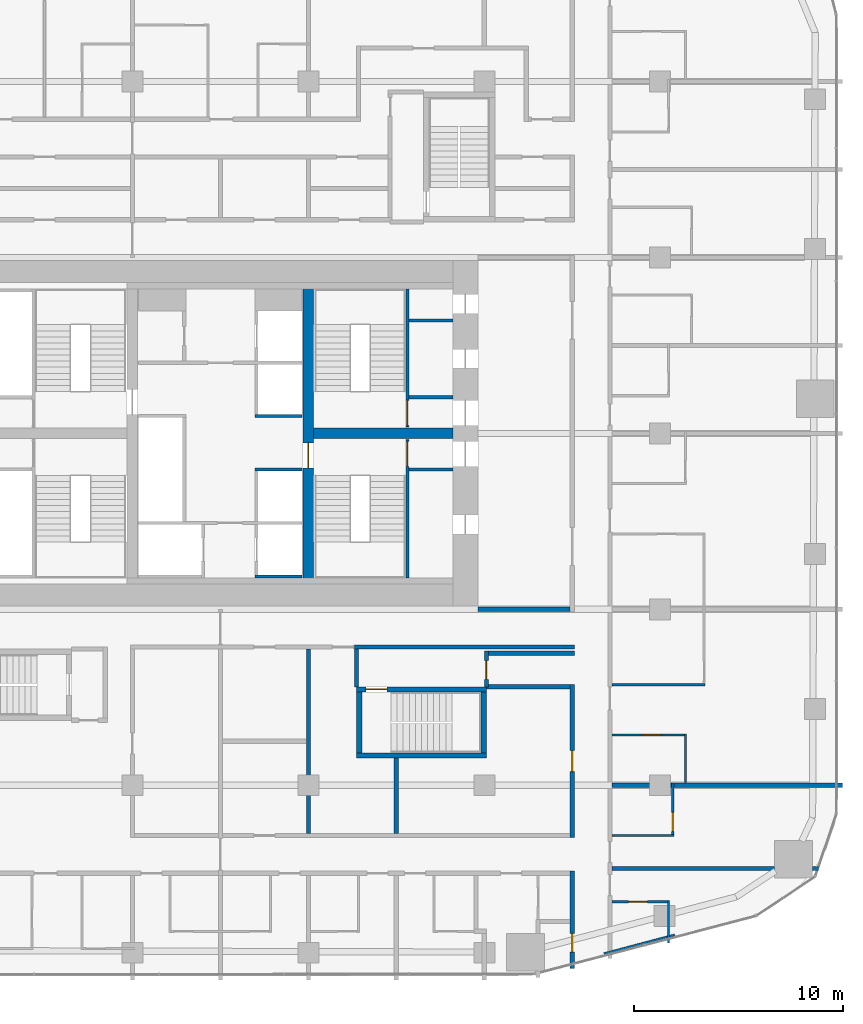
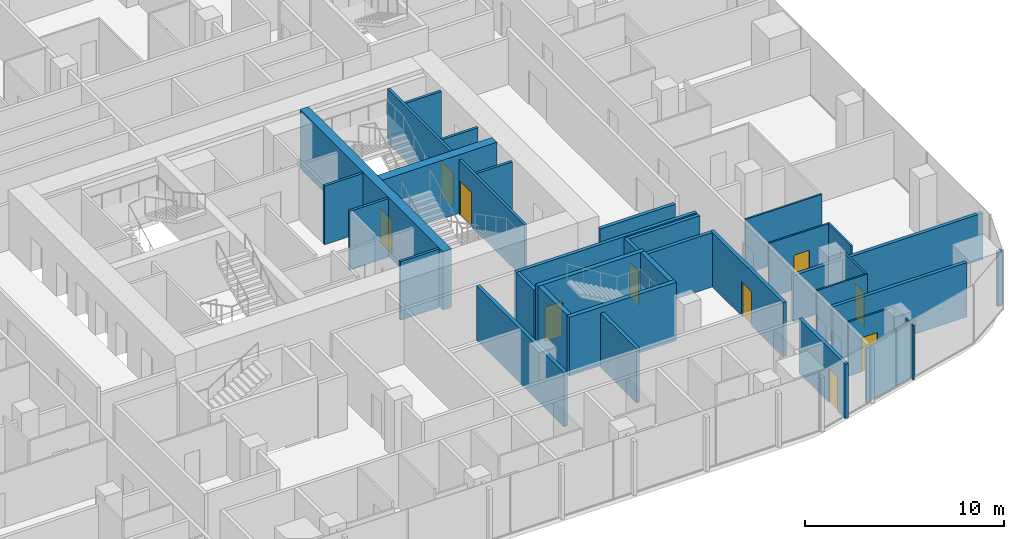
# One storey, part 19 of 26: 35 walls, 10 doors, 10 openings.
"""IFC4 building model written with IfcOpenShell, lengths in metres."""

from ifc_helpers import new_model, si_unit, direction, frame, frame_2d, origin, place, context, subcontext, project, spatial, rectangle, extrude, material, layer, layer_set, type_object, element, fill, save


model = new_model("IFC4")

# Units and contexts
model_context = context("Model", 3, precision=1e-05, world=origin(), true_north=direction((0.0, 1.0)))
body_context = subcontext(model_context, "Body", "Model", "MODEL_VIEW")
ifc_project = project(units=[si_unit("LENGTHUNIT", "METRE"), si_unit("AREAUNIT", "SQUARE_METRE"), si_unit("VOLUMEUNIT", "CUBIC_METRE"), si_unit("PLANEANGLEUNIT", "RADIAN"), si_unit("MASSUNIT", "GRAM", prefix="KILO")], contexts=[model_context])

# Site, building, storey
site_placement = place(None, origin())
site = spatial("IfcSite", under=ifc_project, at=site_placement, CompositionType="ELEMENT")
building_placement = place(site_placement, origin())
building = spatial("IfcBuilding", under=site, at=building_placement, Name="Marenta Gate Hotel Tower", CompositionType="ELEMENT")
storey_placement = place(building_placement, frame((0.0, 0.0, 65.300048828125)))
storey = spatial("IfcBuildingStorey", under=building, at=storey_placement, Name="L14", CompositionType="ELEMENT", Elevation=65.300048828125)

# Walls
ifc_material_1 = material(Name="Concrete blockwork", Category="masonry")
ifc_layer_1 = layer(ifc_material_1, 0.199951171875)
ifc_layer_set_1 = layer_set([ifc_layer_1], Name="Concrete blockwork")
wall_type_1 = type_object("IfcWallType", Name="Core boundary wall 200 REI 180", PredefinedType="PARTITIONING", material=ifc_layer_set_1)
wall_1_placement = place(storey_placement, frame((12.300048828125, 0.0, 0.0), z_axis=(0.0, 0.0, 1.0), x_axis=(1.0, 0.0, 0.0)))
element("IfcWall", 1, at=wall_1_placement, inside=storey, type_object=wall_type_1, Name="L14-CP-EW-ES", PredefinedType="PARTITIONING", context=body_context, shape_type="SweptSolid", body=[
    extrude(rectangle(XDim=4.39990234375, YDim=0.199951171875, at=frame_2d((2.199951171875, 0.0))), origin(), (0.0, 0.0, 1.0), 2.83984375),
])
ifc_material_2 = material(Name="Concrete blockwork", Category="masonry")
ifc_layer_2 = layer(ifc_material_2, 0.14990234375)
ifc_layer_set_2 = layer_set([ifc_layer_2], Name="Concrete blockwork")
wall_type_2 = type_object("IfcWallType", Name="Core room partition 150 REI 180", PredefinedType="PARTITIONING", material=ifc_layer_set_2)
for number, where, z_axis, x_axis, name in (
    (2, (9.0, 6.675048828125, 0.0), (0.0, 0.0, 1.0), (1.0, 0.0, 0.0), "L14-CP-SW-ES-2"),
    (3, (9.0, 10.125, 0.0), (0.0, 0.0, 1.0), (1.0, 0.0, 0.0), "L14-CP-SW-EN-2"),
    (4, (9.0, 13.800048828125, 0.0), (0.0, 0.0, 1.0), (1.0, 0.0, 0.0), "L14-CP-RW-EN-1"),
):
    element("IfcWall", number, at=place(storey_placement, frame(where, z_axis=z_axis, x_axis=x_axis)), inside=storey, type_object=wall_type_2, Name=name, PredefinedType="PARTITIONING", context=body_context, shape_type="SweptSolid", body=[
        extrude(rectangle(XDim=2.10009765625, YDim=0.14990234375, at=frame_2d((1.050048828125, 0.0))), origin(), (0.0, 0.0, 1.0), 3.33984375),
    ])
ifc_material_3 = material(Name="Concrete C40", Category="concrete")
ifc_layer_3 = layer(ifc_material_3, 0.14990234375)
ifc_layer_set_3 = layer_set([ifc_layer_3], Name="Concrete C40")
wall_type_3 = type_object("IfcWallType", Name="Core shaft wall 150 REI 180", PredefinedType="SHEAR", material=ifc_layer_set_3)
for number, where, z_axis, x_axis, name in (
    (5, (1.64990234375, 1.574951171875, 0.0), (0.0, 0.0, 1.0), (1.0, 0.0, 0.0), "L14-SHF-CE-S-bot"),
    (6, (1.64990234375, 6.675048828125, 0.0), (0.0, 0.0, 1.0), (1.0, 0.0, 0.0), "L14-SHF-CE-sep1"),
    (7, (1.64990234375, 9.22509765625, 0.0), (0.0, 0.0, 1.0), (1.0, 0.0, 0.0), "L14-SHF-CE-sep2"),
):
    element("IfcWall", number, at=place(storey_placement, frame(where, z_axis=z_axis, x_axis=x_axis)), inside=storey, type_object=wall_type_3, Name=name, PredefinedType="SHEAR", context=body_context, shape_type="SweptSolid", body=[
        extrude(rectangle(XDim=2.25, YDim=0.14990234375, at=frame_2d((1.125, 0.0))), origin(), (0.0, 0.0, 1.0), 3.599853515625),
    ])

# Wall, opening, door
ifc_material_4 = material(Name="Concrete C40", Category="concrete")
ifc_layer_4 = layer(ifc_material_4, 0.14990234375)
ifc_layer_set_4 = layer_set([ifc_layer_4], Name="Concrete C40")
wall_type_4 = type_object("IfcWallType", Name="Core stair enclosure wall 150 REI 180", PredefinedType="SHEAR", material=ifc_layer_set_4)
wall_2_placement = place(storey_placement, frame((8.925048828125, 1.5, 0.0), z_axis=(0.0, 0.0, 1.0), x_axis=(0.0, 1.0, 0.0)))
wall_2 = element("IfcWall", 8, at=wall_2_placement, inside=storey, type_object=wall_type_4, Name="L14-SHF-SW-ES-3", PredefinedType="SHEAR", context=body_context, shape_type="SweptSolid", body=[
    extrude(rectangle(XDim=6.60009765625, YDim=0.14990234375, at=frame_2d((3.300048828125, 0.0))), origin(), (0.0, 0.0, 1.0), 3.33984375),
])
opening_1_placement = place(wall_2_placement, frame((5.324951171875, 0.0, 0.0)))
opening_1 = element("IfcOpeningElement", 9, at=opening_1_placement, cuts=wall_2, Name="Opening SD-ES", PredefinedType="OPENING", context=body_context, shape_type="SweptSolid", body=[
    extrude(rectangle(XDim=1.199951171875, YDim=2.10009765625, at=frame_2d((0.60009765625, 1.050048828125))), frame((0.0, 0.074951171875, 0.0), z_axis=(0.0, -1.0, 0.0), x_axis=(1.0, 0.0, 0.0)), (0.0, 0.0, 1.0), 0.14990234375),
])
ifc_material_5 = material(Name="Steel", Category="steel")
door_type_1 = type_object("IfcDoorType", Name="Core stair door 1200x2100 FD60", OperationType="SINGLE_SWING_LEFT", PredefinedType="DOOR", material=ifc_material_5)
door_1_placement = place(opening_1_placement, origin())
door_1 = element("IfcDoor", 10, at=door_1_placement, inside=storey, type_object=door_type_1, Name="SD-ES", OperationType="SINGLE_SWING_LEFT", OverallHeight=2.10009765625, OverallWidth=1.199951171875, PredefinedType="DOOR", context=body_context, shape_type="SweptSolid", body=[
    extrude(rectangle(XDim=1.199951171875, YDim=2.10009765625, at=frame_2d((0.60009765625, 1.050048828125))), frame((0.0, 0.02490234375, 0.0), z_axis=(0.0, -1.0, 0.0), x_axis=(1.0, 0.0, 0.0)), (0.0, 0.0, 1.0), 0.050048828125),
])
fill(opening_1, door_1)

wall_3_placement = place(storey_placement, frame((8.925048828125, 8.699951171875, 0.0), z_axis=(0.0, 0.0, 1.0), x_axis=(0.0, 1.0, 0.0)))
wall_3 = element("IfcWall", 11, at=wall_3_placement, inside=storey, type_object=wall_type_4, Name="L14-SHF-SW-EN-3", PredefinedType="SHEAR", context=body_context, shape_type="SweptSolid", body=[
    extrude(rectangle(XDim=6.60009765625, YDim=0.14990234375, at=frame_2d((3.300048828125, 0.0))), origin(), (0.0, 0.0, 1.0), 3.33984375),
])
opening_2_placement = place(wall_3_placement, frame((0.074951171875, 0.0, 0.0)))
opening_2 = element("IfcOpeningElement", 12, at=opening_2_placement, cuts=wall_3, Name="Opening SD-EN", PredefinedType="OPENING", context=body_context, shape_type="SweptSolid", body=[
    extrude(rectangle(XDim=1.199951171875, YDim=2.10009765625, at=frame_2d((0.60009765625, 1.050048828125))), frame((0.0, 0.074951171875, 0.0), z_axis=(0.0, -1.0, 0.0), x_axis=(1.0, 0.0, 0.0)), (0.0, 0.0, 1.0), 0.14990234375),
])
door_2_placement = place(opening_2_placement, origin())
door_2 = element("IfcDoor", 13, at=door_2_placement, inside=storey, type_object=door_type_1, Name="SD-EN", OperationType="SINGLE_SWING_LEFT", OverallHeight=2.10009765625, OverallWidth=1.199951171875, PredefinedType="DOOR", context=body_context, shape_type="SweptSolid", body=[
    extrude(rectangle(XDim=1.199951171875, YDim=2.10009765625, at=frame_2d((0.60009765625, 1.050048828125))), frame((0.0, 0.02490234375, 0.0), z_axis=(0.0, -1.0, 0.0), x_axis=(1.0, 0.0, 0.0)), (0.0, 0.0, 1.0), 0.050048828125),
])
fill(opening_2, door_2)

ifc_material_6 = material(Name="Concrete C80", Category="concrete")
ifc_layer_5 = layer(ifc_material_6, 0.5)
ifc_layer_set_5 = layer_set([ifc_layer_5], Name="Concrete C80")
wall_type_5 = type_object("IfcWallType", Name="Core web 500 C80", PredefinedType="SHEAR", material=ifc_layer_set_5)
wall_4_placement = place(storey_placement, frame((4.199951171875, 1.199951171875, 0.0), z_axis=(0.0, 0.0, 1.0), x_axis=(0.0, 1.0, 0.0)))
wall_4 = element("IfcWall", 14, at=wall_4_placement, inside=storey, type_object=wall_type_5, Name="L14-CORE-W2", PredefinedType="SHEAR", context=body_context, shape_type="SweptSolid", body=[
    extrude(rectangle(XDim=14.400146484375, YDim=0.5, at=frame_2d((7.2001953125, 0.0))), origin(), (0.0, 0.0, 1.0), 3.599853515625),
])
opening_3_placement = place(wall_4_placement, frame((5.550048828125, 0.0, 0.0)))
opening_3 = element("IfcOpeningElement", 15, at=opening_3_placement, cuts=wall_4, Name="Opening WD-E", PredefinedType="OPENING", context=body_context, shape_type="SweptSolid", body=[
    extrude(rectangle(XDim=1.199951171875, YDim=2.10009765625, at=frame_2d((0.60009765625, 1.050048828125))), frame((0.0, 0.25, 0.0), z_axis=(0.0, -1.0, 0.0), x_axis=(1.0, 0.0, 0.0)), (0.0, 0.0, 1.0), 0.5),
])
door_3_placement = place(opening_3_placement, origin())
door_3 = element("IfcDoor", 16, at=door_3_placement, inside=storey, type_object=door_type_1, Name="WD-E", OperationType="SINGLE_SWING_LEFT", OverallHeight=2.10009765625, OverallWidth=1.199951171875, PredefinedType="DOOR", context=body_context, shape_type="SweptSolid", body=[
    extrude(rectangle(XDim=1.199951171875, YDim=2.10009765625, at=frame_2d((0.60009765625, 1.050048828125))), frame((0.0, 0.02490234375, 0.0), z_axis=(0.0, -1.0, 0.0), x_axis=(1.0, 0.0, 0.0)), (0.0, 0.0, 1.0), 0.050048828125),
])
fill(opening_3, door_3)

# Walls
wall_5_placement = place(storey_placement, frame((4.449951171875, 8.39990234375, 0.0), z_axis=(0.0, 0.0, 1.0), x_axis=(1.0, 0.0, 0.0)))
element("IfcWall", 17, at=wall_5_placement, inside=storey, type_object=wall_type_5, Name="L14-CORE-W4", PredefinedType="SHEAR", context=body_context, shape_type="SweptSolid", body=[
    extrude(rectangle(XDim=6.650146484375, YDim=0.5, at=frame_2d((3.3251953125, 0.0))), origin(), (0.0, 0.0, 1.0), 3.599853515625),
])
ifc_material_7 = material(Name="Concrete C40", Category="concrete")
ifc_layer_6 = layer(ifc_material_7, 0.25)
ifc_layer_set_6 = layer_set([ifc_layer_6], Name="Concrete C40")
wall_type_6 = type_object("IfcWallType", Name="Remote stair enclosure wall 250 REI 180", PredefinedType="SHEAR", material=ifc_layer_set_6)
wall_6_placement = place(storey_placement, frame((6.5, -6.97509765625, 0.099853515625), z_axis=(0.0, 0.0, 1.0), x_axis=(1.0, 0.0, 0.0)))
element("IfcWall", 18, at=wall_6_placement, inside=storey, type_object=wall_type_6, Name="L14-RS-Z1-1-W1", PredefinedType="SHEAR", context=body_context, shape_type="SweptSolid", body=[
    extrude(rectangle(XDim=6.199951171875, YDim=0.25, at=frame_2d((3.10009765625, 0.0))), origin(), (0.0, 0.0, 1.0), 3.60009765625),
])

# Wall, opening, door
wall_7_placement = place(storey_placement, frame((6.5, -3.824951171875, 0.099853515625), z_axis=(0.0, 0.0, 1.0), x_axis=(1.0, 0.0, 0.0)))
wall_7 = element("IfcWall", 19, at=wall_7_placement, inside=storey, type_object=wall_type_6, Name="L14-RS-Z1-1-W2", PredefinedType="SHEAR", context=body_context, shape_type="SweptSolid", body=[
    extrude(rectangle(XDim=6.199951171875, YDim=0.25, at=frame_2d((3.10009765625, 0.0))), origin(), (0.0, 0.0, 1.0), 3.60009765625),
])
opening_4_placement = place(wall_7_placement, frame((0.449951171875, 0.0, 0.0)))
opening_4 = element("IfcOpeningElement", 20, at=opening_4_placement, cuts=wall_7, Name="Opening VD", PredefinedType="OPENING", context=body_context, shape_type="SweptSolid", body=[
    extrude(rectangle(XDim=1.0, YDim=2.10009765625, at=frame_2d((0.5, 1.050048828125))), frame((0.0, 0.125, 0.0), z_axis=(0.0, -1.0, 0.0), x_axis=(1.0, 0.0, 0.0)), (0.0, 0.0, 1.0), 0.25),
])
ifc_material_8 = material(Name="Steel", Category="steel")
door_type_2 = type_object("IfcDoorType", Name="Stair vestibule door 1000x2100 FD60", OperationType="SINGLE_SWING_LEFT", PredefinedType="DOOR", material=ifc_material_8)
door_4_placement = place(opening_4_placement, origin())
door_4 = element("IfcDoor", 21, at=door_4_placement, inside=storey, type_object=door_type_2, Name="VD", OperationType="SINGLE_SWING_LEFT", OverallHeight=2.10009765625, OverallWidth=1.0, PredefinedType="DOOR", context=body_context, shape_type="SweptSolid", body=[
    extrude(rectangle(XDim=1.0, YDim=2.10009765625, at=frame_2d((0.5, 1.050048828125))), frame((0.0, 0.02490234375, 0.0), z_axis=(0.0, -1.0, 0.0), x_axis=(1.0, 0.0, 0.0)), (0.0, 0.0, 1.0), 0.050048828125),
])
fill(opening_4, door_4)

# Walls
for number, where, z_axis, x_axis, name in (
    (22, (6.625, -6.85009765625, 0.099853515625), (0.0, 0.0, 1.0), (0.0, 1.0, 0.0), "L14-RS-Z1-1-W3"),
    (23, (12.574951171875, -6.85009765625, 0.099853515625), (0.0, 0.0, 1.0), (0.0, 1.0, 0.0), "L14-RS-Z1-1-W4"),
):
    element("IfcWall", number, at=place(storey_placement, frame(where, z_axis=z_axis, x_axis=x_axis)), inside=storey, type_object=wall_type_6, Name=name, PredefinedType="SHEAR", context=body_context, shape_type="SweptSolid", body=[
        extrude(rectangle(XDim=2.900146484375, YDim=0.25, at=frame_2d((1.4501953125, 0.0))), origin(), (0.0, 0.0, 1.0), 3.60009765625),
    ])

# Wall, opening, door
ifc_material_9 = material(Name="Concrete blockwork", Category="masonry")
ifc_layer_7 = layer(ifc_material_9, 0.199951171875)
ifc_layer_set_7 = layer_set([ifc_layer_7], Name="Concrete blockwork")
wall_type_7 = type_object("IfcWallType", Name="Room corridor wall 200 EI 120", PredefinedType="PARTITIONING", material=ifc_layer_set_7)
wall_8_placement = place(storey_placement, frame((16.800048828125, -17.14306640625, 0.0), z_axis=(0.0, 0.0, 1.0), x_axis=(0.0, 1.0, 0.0)))
wall_8 = element("IfcWall", 24, at=wall_8_placement, inside=storey, type_object=wall_type_7, Name="L14-PTN-W015", PredefinedType="PARTITIONING", context=body_context, shape_type="SweptSolid", body=[
    extrude(rectangle(XDim=4.64306640625, YDim=0.199951171875, at=frame_2d((2.321533203125, 0.0))), origin(), (0.0, 0.0, 1.0), 3.33984375),
])
opening_5_placement = place(wall_8_placement, frame((0.77197265625, 0.0, 0.0)))
opening_5 = element("IfcOpeningElement", 25, at=opening_5_placement, cuts=wall_8, Name="Opening G05-85", PredefinedType="OPENING", context=body_context, shape_type="SweptSolid", body=[
    extrude(rectangle(XDim=0.89990234375, YDim=2.10009765625, at=frame_2d((0.449951171875, 1.050048828125))), frame((0.0, 0.10009765625, 0.0), z_axis=(0.0, -1.0, 0.0), x_axis=(1.0, 0.0, 0.0)), (0.0, 0.0, 1.0), 0.199951171875),
])
ifc_material_10 = material(Name="Hollow steel door set", Category="steel")
door_type_3 = type_object("IfcDoorType", Name="Room service door 900x2100 EI 60", OperationType="NOTDEFINED", PredefinedType="DOOR", material=ifc_material_10)
door_5_placement = place(opening_5_placement, origin())
door_5 = element("IfcDoor", 26, at=door_5_placement, inside=storey, type_object=door_type_3, Name="L14-PD-D085", OperationType="SINGLE_SWING_RIGHT", OverallHeight=2.10009765625, OverallWidth=0.89990234375, PredefinedType="DOOR", context=body_context, shape_type="SweptSolid", body=[
    extrude(rectangle(XDim=0.89990234375, YDim=2.10009765625, at=frame_2d((0.449951171875, 1.050048828125))), frame((0.0, 0.02490234375, 0.0), z_axis=(0.0, -1.0, 0.0), x_axis=(1.0, 0.0, 0.0)), (0.0, 0.0, 1.0), 0.050048828125),
])
fill(opening_5, door_5)

ifc_material_11 = material(Name="Gypsum board on steel stud", Category="steel")
ifc_layer_8 = layer(ifc_material_11, 0.199951171875)
ifc_layer_set_8 = layer_set([ifc_layer_8], Name="Gypsum board on steel stud")
wall_type_8 = type_object("IfcWallType", Name="Room corridor wall 200 EI 60", PredefinedType="PARTITIONING", material=ifc_layer_set_8)
wall_9_placement = place(storey_placement, frame((16.800048828125, -10.89990234375, 0.0), z_axis=(0.0, 0.0, 1.0), x_axis=(0.0, 1.0, 0.0)))
wall_9 = element("IfcWall", 27, at=wall_9_placement, inside=storey, type_object=wall_type_8, Name="L14-PTN-W016", PredefinedType="PARTITIONING", context=body_context, shape_type="SweptSolid", body=[
    extrude(rectangle(XDim=7.2998046875, YDim=0.199951171875, at=frame_2d((3.64990234375, 0.0))), origin(), (0.0, 0.0, 1.0), 3.33984375),
])
opening_6_placement = place(wall_9_placement, frame((3.14990234375, 0.0, 0.0)))
opening_6 = element("IfcOpeningElement", 28, at=opening_6_placement, cuts=wall_9, Name="Opening G05-71", PredefinedType="OPENING", context=body_context, shape_type="SweptSolid", body=[
    extrude(rectangle(XDim=1.0, YDim=2.10009765625, at=frame_2d((0.5, 1.050048828125))), frame((0.0, 0.10009765625, 0.0), z_axis=(0.0, -1.0, 0.0), x_axis=(1.0, 0.0, 0.0)), (0.0, 0.0, 1.0), 0.199951171875),
])
ifc_material_12 = material(Name="Timber door leaf", Category="wood")
door_type_4 = type_object("IfcDoorType", Name="Room amenity door 1000x2100 EI 30", OperationType="NOTDEFINED", PredefinedType="DOOR", material=ifc_material_12)
door_6_placement = place(opening_6_placement, origin())
door_6 = element("IfcDoor", 29, at=door_6_placement, inside=storey, type_object=door_type_4, Name="L14-PD-D071", OperationType="SINGLE_SWING_LEFT", OverallHeight=2.10009765625, OverallWidth=1.0, PredefinedType="DOOR", context=body_context, shape_type="SweptSolid", body=[
    extrude(rectangle(XDim=1.0, YDim=2.10009765625, at=frame_2d((0.5, 1.050048828125))), frame((0.0, 0.02490234375, 0.0), z_axis=(0.0, -1.0, 0.0), x_axis=(1.0, 0.0, 0.0)), (0.0, 0.0, 1.0), 0.050048828125),
])
fill(opening_6, door_6)

# Wall
wall_10_placement = place(storey_placement, frame((12.699951171875, -3.699951171875, 0.0), z_axis=(0.0, 0.0, 1.0), x_axis=(1.0, 0.0, 0.0)))
element("IfcWall", 30, at=wall_10_placement, inside=storey, type_object=wall_type_8, Name="L14-PTN-W061", PredefinedType="PARTITIONING", context=body_context, shape_type="SweptSolid", body=[
    extrude(rectangle(XDim=4.0, YDim=0.199951171875, at=frame_2d((2.0, 0.0))), origin(), (0.0, 0.0, 1.0), 3.33984375),
])

# Wall, opening, door
ifc_material_13 = material(Name="Concrete blockwork", Category="masonry")
ifc_layer_9 = layer(ifc_material_13, 0.199951171875)
ifc_layer_set_9 = layer_set([ifc_layer_9], Name="Concrete blockwork")
wall_type_9 = type_object("IfcWallType", Name="Room corridor wall 200 REI 180", PredefinedType="PARTITIONING", material=ifc_layer_set_9)
wall_11_placement = place(storey_placement, frame((12.699951171875, -3.699951171875, 0.0), z_axis=(0.0, 0.0, 1.0), x_axis=(0.0, 1.0, 0.0)))
wall_11 = element("IfcWall", 31, at=wall_11_placement, inside=storey, type_object=wall_type_9, Name="L14-PTN-W031", PredefinedType="PARTITIONING", context=body_context, shape_type="SweptSolid", body=[
    extrude(rectangle(XDim=1.699951171875, YDim=0.199951171875, at=frame_2d((0.85009765625, 0.0))), origin(), (0.0, 0.0, 1.0), 3.33984375),
])
opening_7_placement = place(wall_11_placement, frame((0.35009765625, 0.0, 0.0)))
opening_7 = element("IfcOpeningElement", 32, at=opening_7_placement, cuts=wall_11, Name="Opening G05-66", PredefinedType="OPENING", context=body_context, shape_type="SweptSolid", body=[
    extrude(rectangle(XDim=0.89990234375, YDim=2.10009765625, at=frame_2d((0.449951171875, 1.050048828125))), frame((0.0, 0.10009765625, 0.0), z_axis=(0.0, -1.0, 0.0), x_axis=(1.0, 0.0, 0.0)), (0.0, 0.0, 1.0), 0.199951171875),
])
ifc_material_14 = material(Name="Hollow steel door set", Category="steel")
door_type_5 = type_object("IfcDoorType", Name="Stair vestibule door 900x2100 EI 60", OperationType="NOTDEFINED", PredefinedType="DOOR", material=ifc_material_14)
door_7_placement = place(opening_7_placement, origin())
door_7 = element("IfcDoor", 33, at=door_7_placement, inside=storey, type_object=door_type_5, Name="L14-PD-D066", OperationType="SINGLE_SWING_LEFT", OverallHeight=2.10009765625, OverallWidth=0.89990234375, PredefinedType="DOOR", context=body_context, shape_type="SweptSolid", body=[
    extrude(rectangle(XDim=0.89990234375, YDim=2.10009765625, at=frame_2d((0.449951171875, 1.050048828125))), frame((0.0, 0.02490234375, 0.0), z_axis=(0.0, -1.0, 0.0), x_axis=(1.0, 0.0, 0.0)), (0.0, 0.0, 1.0), 0.050048828125),
])
fill(opening_7, door_7)

# Walls
wall_12_placement = place(storey_placement, frame((12.800048828125, -2.10009765625, 0.0), z_axis=(0.0, 0.0, 1.0), x_axis=(1.0, 0.0, 0.0)))
element("IfcWall", 34, at=wall_12_placement, inside=storey, type_object=wall_type_9, Name="L14-PTN-W065", PredefinedType="PARTITIONING", context=body_context, shape_type="SweptSolid", body=[
    extrude(rectangle(XDim=4.099853515625, YDim=0.199951171875, at=frame_2d((2.0498046875, 0.0))), origin(), (0.0, 0.0, 1.0), 3.33984375),
])
wall_13_placement = place(storey_placement, frame((6.39990234375, -1.800048828125, 0.0), z_axis=(0.0, 0.0, 1.0), x_axis=(1.0, 0.0, 0.0)))
element("IfcWall", 35, at=wall_13_placement, inside=storey, type_object=wall_type_9, Name="L14-PTN-W070", PredefinedType="PARTITIONING", context=body_context, shape_type="SweptSolid", body=[
    extrude(rectangle(XDim=10.5, YDim=0.199951171875, at=frame_2d((5.25, 0.0))), origin(), (0.0, 0.0, 1.0), 3.33984375),
])
ifc_material_15 = material(Name="Gypsum board on steel stud", Category="steel")
ifc_layer_10 = layer(ifc_material_15, 0.10009765625)
ifc_layer_set_10 = layer_set([ifc_layer_10], Name="Gypsum board on steel stud")
wall_type_10 = type_object("IfcWallType", Name="Room partition 100", PredefinedType="PARTITIONING", material=ifc_layer_set_10)
wall_14_placement = place(storey_placement, frame((22.199951171875, -8.300048828125, 0.0), z_axis=(0.0, 0.0, 1.0), x_axis=(0.0, 1.0, 0.0)))
element("IfcWall", 36, at=wall_14_placement, inside=storey, type_object=wall_type_10, Name="L14-PTN-W005", PredefinedType="PARTITIONING", context=body_context, shape_type="SweptSolid", body=[
    extrude(rectangle(XDim=2.35009765625, YDim=0.10009765625, at=frame_2d((1.175048828125, 0.0))), origin(), (0.0, 0.0, 1.0), 3.33984375),
])

# Wall, opening, door
wall_15_placement = place(storey_placement, frame((21.60009765625, -10.75, 0.0), z_axis=(0.0, 0.0, 1.0), x_axis=(0.0, 1.0, 0.0)))
wall_15 = element("IfcWall", 37, at=wall_15_placement, inside=storey, type_object=wall_type_10, Name="L14-PTN-W008", PredefinedType="PARTITIONING", context=body_context, shape_type="SweptSolid", body=[
    extrude(rectangle(XDim=2.449951171875, YDim=0.10009765625, at=frame_2d((1.22509765625, 0.0))), origin(), (0.0, 0.0, 1.0), 3.33984375),
])
opening_8_placement = place(wall_15_placement, frame((0.14990234375, 0.0, 0.0)))
opening_8 = element("IfcOpeningElement", 38, at=opening_8_placement, cuts=wall_15, Name="Opening G05-08", PredefinedType="OPENING", context=body_context, shape_type="SweptSolid", body=[
    extrude(rectangle(XDim=0.89990234375, YDim=2.10009765625, at=frame_2d((0.449951171875, 1.050048828125))), frame((0.0, 0.050048828125, 0.0), z_axis=(0.0, -1.0, 0.0), x_axis=(1.0, 0.0, 0.0)), (0.0, 0.0, 1.0), 0.10009765625),
])
ifc_material_16 = material(Name="Timber door leaf", Category="wood")
door_type_6 = type_object("IfcDoorType", Name="Guest bathroom door 900x2100", OperationType="NOTDEFINED", PredefinedType="DOOR", material=ifc_material_16)
door_8_placement = place(opening_8_placement, origin())
door_8 = element("IfcDoor", 39, at=door_8_placement, inside=storey, type_object=door_type_6, Name="L14-PD-D008", OperationType="SINGLE_SWING_LEFT", OverallHeight=2.10009765625, OverallWidth=0.89990234375, PredefinedType="DOOR", context=body_context, shape_type="SweptSolid", body=[
    extrude(rectangle(XDim=0.89990234375, YDim=2.10009765625, at=frame_2d((0.449951171875, 1.050048828125))), frame((0.0, 0.02490234375, 0.0), z_axis=(0.0, -1.0, 0.0), x_axis=(1.0, 0.0, 0.0)), (0.0, 0.0, 1.0), 0.050048828125),
])
fill(opening_8, door_8)

# Walls
wall_16_placement = place(storey_placement, frame((21.39990234375, -15.922119140625, 0.0), z_axis=(0.0, 0.0, 1.0), x_axis=(0.0, 1.0, 0.0)))
element("IfcWall", 40, at=wall_16_placement, inside=storey, type_object=wall_type_10, Name="L14-PTN-W009", PredefinedType="PARTITIONING", context=body_context, shape_type="SweptSolid", body=[
    extrude(rectangle(XDim=2.007080078125, YDim=0.10009765625, at=frame_2d((1.00341796875, 0.0))), origin(), (0.0, 0.0, 1.0), 3.33984375),
])
wall_17_placement = place(storey_placement, frame((18.31005859375, -16.44189453125, 0.0), z_axis=(0.0, 0.0, 1.0), x_axis=(0.966542484633, 0.25650657964, 0.0)))
element("IfcWall", 41, at=wall_17_placement, inside=storey, type_object=wall_type_10, Name="L14-PTN-W013", PredefinedType="PARTITIONING", context=body_context, shape_type="SweptSolid", body=[
    extrude(rectangle(XDim=3.496826171875, YDim=0.10009765625, at=frame_2d((1.74853515625, 0.0))), origin(), (0.0, 0.0, 1.0), 3.33984375),
])

# Wall, opening, door
wall_18_placement = place(storey_placement, frame((18.699951171875, -13.965087890625, 0.0), z_axis=(0.0, 0.0, 1.0), x_axis=(1.0, 0.0, 0.0)))
wall_18 = element("IfcWall", 42, at=wall_18_placement, inside=storey, type_object=wall_type_10, Name="L14-PTN-W030", PredefinedType="PARTITIONING", context=body_context, shape_type="SweptSolid", body=[
    extrude(rectangle(XDim=2.650146484375, YDim=0.10009765625, at=frame_2d((1.3251953125, 0.0))), origin(), (0.0, 0.0, 1.0), 3.33984375),
])
opening_9_placement = place(wall_18_placement, frame((0.7900390625, 0.0, 0.0)))
opening_9 = element("IfcOpeningElement", 43, at=opening_9_placement, cuts=wall_18, Name="Opening G05-06", PredefinedType="OPENING", context=body_context, shape_type="SweptSolid", body=[
    extrude(rectangle(XDim=0.89990234375, YDim=2.10009765625, at=frame_2d((0.449951171875, 1.050048828125))), frame((0.0, 0.050048828125, 0.0), z_axis=(0.0, -1.0, 0.0), x_axis=(1.0, 0.0, 0.0)), (0.0, 0.0, 1.0), 0.10009765625),
])
door_9_placement = place(opening_9_placement, origin())
door_9 = element("IfcDoor", 44, at=door_9_placement, inside=storey, type_object=door_type_6, Name="L14-PD-D006", OperationType="SINGLE_SWING_LEFT", OverallHeight=2.10009765625, OverallWidth=0.89990234375, PredefinedType="DOOR", context=body_context, shape_type="SweptSolid", body=[
    extrude(rectangle(XDim=0.89990234375, YDim=2.10009765625, at=frame_2d((0.449951171875, 1.050048828125))), frame((0.0, 0.02490234375, 0.0), z_axis=(0.0, -1.0, 0.0), x_axis=(1.0, 0.0, 0.0)), (0.0, 0.0, 1.0), 0.050048828125),
])
fill(opening_9, door_9)

# Wall
wall_19_placement = place(storey_placement, frame((18.699951171875, -10.800048828125, 0.0), z_axis=(0.0, 0.0, 1.0), x_axis=(1.0, 0.0, 0.0)))
element("IfcWall", 45, at=wall_19_placement, inside=storey, type_object=wall_type_10, Name="L14-PTN-W039", PredefinedType="PARTITIONING", context=body_context, shape_type="SweptSolid", body=[
    extrude(rectangle(XDim=2.949951171875, YDim=0.10009765625, at=frame_2d((1.47509765625, 0.0))), origin(), (0.0, 0.0, 1.0), 3.33984375),
])

# Wall, opening, door
wall_20_placement = place(storey_placement, frame((18.699951171875, -6.0, 0.0), z_axis=(0.0, 0.0, 1.0), x_axis=(1.0, 0.0, 0.0)))
wall_20 = element("IfcWall", 46, at=wall_20_placement, inside=storey, type_object=wall_type_10, Name="L14-PTN-W053", PredefinedType="PARTITIONING", context=body_context, shape_type="SweptSolid", body=[
    extrude(rectangle(XDim=3.449951171875, YDim=0.10009765625, at=frame_2d((1.72509765625, 0.0))), origin(), (0.0, 0.0, 1.0), 3.33984375),
])
opening_10_placement = place(wall_20_placement, frame((1.429931640625, 0.0, 0.0)))
opening_10 = element("IfcOpeningElement", 47, at=opening_10_placement, cuts=wall_20, Name="Opening G05-11", PredefinedType="OPENING", context=body_context, shape_type="SweptSolid", body=[
    extrude(rectangle(XDim=0.89990234375, YDim=2.10009765625, at=frame_2d((0.449951171875, 1.050048828125))), frame((0.0, 0.050048828125, 0.0), z_axis=(0.0, -1.0, 0.0), x_axis=(1.0, 0.0, 0.0)), (0.0, 0.0, 1.0), 0.10009765625),
])
ifc_material_17 = material(Name="Timber door leaf", Category="wood")
door_type_7 = type_object("IfcDoorType", Name="Room inner door 900x2100", OperationType="NOTDEFINED", PredefinedType="DOOR", material=ifc_material_17)
door_10_placement = place(opening_10_placement, origin())
door_10 = element("IfcDoor", 48, at=door_10_placement, inside=storey, type_object=door_type_7, Name="L14-PD-D011", OperationType="SINGLE_SWING_LEFT", OverallHeight=2.10009765625, OverallWidth=0.89990234375, PredefinedType="DOOR", context=body_context, shape_type="SweptSolid", body=[
    extrude(rectangle(XDim=0.89990234375, YDim=2.10009765625, at=frame_2d((0.449951171875, 1.050048828125))), frame((0.0, 0.02490234375, 0.0), z_axis=(0.0, -1.0, 0.0), x_axis=(1.0, 0.0, 0.0)), (0.0, 0.0, 1.0), 0.050048828125),
])
fill(opening_10, door_10)

# Walls
wall_21_placement = place(storey_placement, frame((18.699951171875, -3.60009765625, 0.0), z_axis=(0.0, 0.0, 1.0), x_axis=(1.0, 0.0, 0.0)))
element("IfcWall", 49, at=wall_21_placement, inside=storey, type_object=wall_type_10, Name="L14-PTN-W062", PredefinedType="PARTITIONING", context=body_context, shape_type="SweptSolid", body=[
    extrude(rectangle(XDim=4.449951171875, YDim=0.10009765625, at=frame_2d((2.22509765625, 0.0))), origin(), (0.0, 0.0, 1.0), 3.33984375),
])
ifc_material_18 = material(Name="Gypsum board on steel stud", Category="steel")
ifc_layer_11 = layer(ifc_material_18, 0.199951171875)
ifc_layer_set_11 = layer_set([ifc_layer_11], Name="Gypsum board on steel stud")
wall_type_11 = type_object("IfcWallType", Name="Room party wall 200 EI 60", PredefinedType="PARTITIONING", material=ifc_layer_set_11)
wall_22_placement = place(storey_placement, frame((18.699951171875, -12.383056640625, 0.0), z_axis=(0.0, 0.0, 1.0), x_axis=(1.0, 0.0, 0.0)))
element("IfcWall", 50, at=wall_22_placement, inside=storey, type_object=wall_type_11, Name="L14-PTN-W036", PredefinedType="PARTITIONING", context=body_context, shape_type="SweptSolid", body=[
    extrude(rectangle(XDim=7.762939453125, YDim=0.199951171875, at=frame_2d((3.88134765625, 0.0))), origin(), (0.0, 0.0, 1.0), 3.33984375),
])
wall_23_placement = place(storey_placement, frame((28.262939453125, -12.383056640625, 0.0), z_axis=(0.0, 0.0, 1.0), x_axis=(1.0, 0.0, 0.0)))
element("IfcWall", 51, at=wall_23_placement, inside=storey, type_object=wall_type_11, Name="L14-PTN-W156", PredefinedType="PARTITIONING", context=body_context, shape_type="SweptSolid", body=[
    extrude(rectangle(XDim=0.2900390625, YDim=0.199951171875, at=frame_2d((0.14501953125, 0.0))), origin(), (0.0, 0.0, 1.0), 3.33984375),
])
wall_24_placement = place(storey_placement, frame((8.39990234375, -10.699951171875, 0.0), z_axis=(0.0, 0.0, 1.0), x_axis=(0.0, 1.0, 0.0)))
element("IfcWall", 52, at=wall_24_placement, inside=storey, type_object=wall_type_11, Name="L14-PTN-W044", PredefinedType="PARTITIONING", context=body_context, shape_type="SweptSolid", body=[
    extrude(rectangle(XDim=3.599853515625, YDim=0.199951171875, at=frame_2d((1.7998046875, 0.0))), origin(), (0.0, 0.0, 1.0), 3.33984375),
])
wall_25_placement = place(storey_placement, frame((18.699951171875, -8.39990234375, 0.0), z_axis=(0.0, 0.0, 1.0), x_axis=(1.0, 0.0, 0.0)))
element("IfcWall", 53, at=wall_25_placement, inside=storey, type_object=wall_type_11, Name="L14-PTN-W046", PredefinedType="PARTITIONING", context=body_context, shape_type="SweptSolid", body=[
    extrude(rectangle(XDim=11.0, YDim=0.199951171875, at=frame_2d((5.5, 0.0))), origin(), (0.0, 0.0, 1.0), 2.83984375),
])
wall_26_placement = place(storey_placement, frame((4.199951171875, -10.699951171875, 0.0), z_axis=(0.0, 0.0, 1.0), x_axis=(0.0, 1.0, 0.0)))
element("IfcWall", 54, at=wall_26_placement, inside=storey, type_object=wall_type_11, Name="L14-PTN-W057", PredefinedType="PARTITIONING", context=body_context, shape_type="SweptSolid", body=[
    extrude(rectangle(XDim=8.800048828125, YDim=0.199951171875, at=frame_2d((4.39990234375, 0.0))), origin(), (0.0, 0.0, 1.0), 3.33984375),
])
ifc_material_19 = material(Name="Concrete blockwork", Category="masonry")
ifc_layer_12 = layer(ifc_material_19, 0.199951171875)
ifc_layer_set_12 = layer_set([ifc_layer_12], Name="Concrete blockwork")
wall_type_12 = type_object("IfcWallType", Name="Room party wall 200 REI 180", PredefinedType="PARTITIONING", material=ifc_layer_set_12)
wall_27_placement = place(storey_placement, frame((6.5, -3.699951171875, 0.0), z_axis=(0.0, 0.0, 1.0), x_axis=(0.0, 1.0, 0.0)))
element("IfcWall", 55, at=wall_27_placement, inside=storey, type_object=wall_type_12, Name="L14-PTN-W051", PredefinedType="PARTITIONING", context=body_context, shape_type="SweptSolid", body=[
    extrude(rectangle(XDim=1.800048828125, YDim=0.199951171875, at=frame_2d((0.89990234375, 0.0))), origin(), (0.0, 0.0, 1.0), 3.33984375),
])

save(model, "model.ifc")
